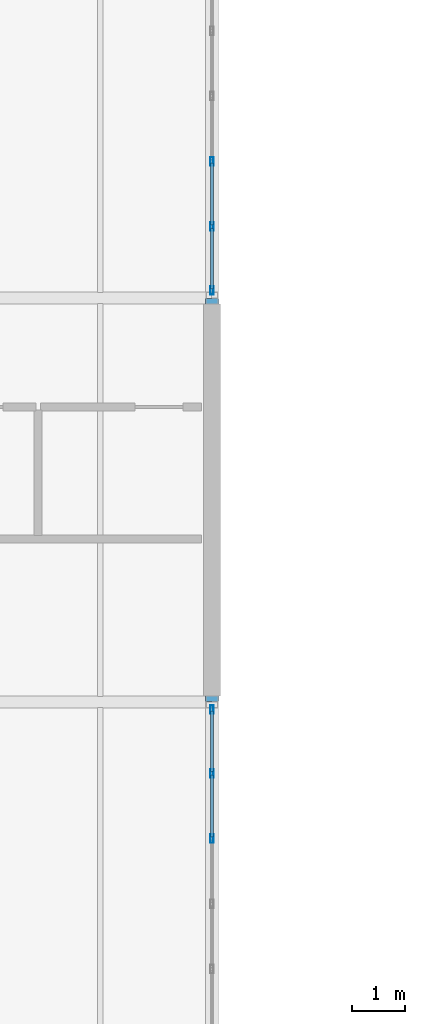
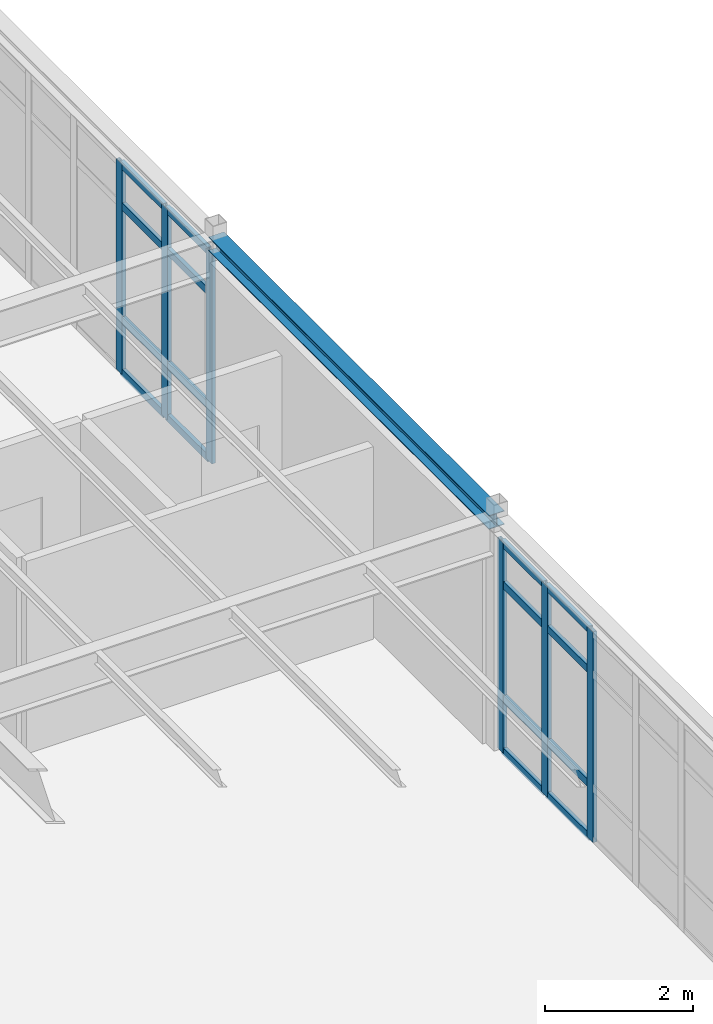
# One storey, part 50 of 114: 22 members, 1 beam, 2 elements without a shape of their own.
"""IFC4 building model written with IfcOpenShell, lengths in metres."""

from ifc_helpers import new_model, si_unit, direction, frame, origin, origin_2d, place, context, subcontext, project, spatial, hollow_rectangle, i_section, extrude, material, layer, layer_set, material_profile, profile_set, type_object, element, aggregate, save


model = new_model("IFC4")

# Units and contexts
model_context = context("Model", 3, precision=1e-05, world=origin(), true_north=direction((0.0, 1.0)))
body_context = subcontext(model_context, "Body", "Model", "MODEL_VIEW")
ifc_project = project(units=[si_unit("LENGTHUNIT", "METRE"), si_unit("AREAUNIT", "SQUARE_METRE"), si_unit("VOLUMEUNIT", "CUBIC_METRE"), si_unit("PLANEANGLEUNIT", "RADIAN"), si_unit("MASSUNIT", "GRAM", prefix="KILO")], contexts=[model_context])

# Site, building, storey
site_placement = place(None, origin())
site = spatial("IfcSite", under=ifc_project, at=site_placement, CompositionType="ELEMENT")
building_placement = place(site_placement, origin())
building = spatial("IfcBuilding", under=site, at=building_placement, Name="Montecoro Central Library", CompositionType="ELEMENT")
storey_placement = place(building_placement, frame((0.0, 0.0, 13.260009765625)))
storey = spatial("IfcBuildingStorey", under=building, at=storey_placement, Name="L03", CompositionType="ELEMENT", Elevation=13.260009765625)

# Beam
ifc_material_1 = material(Name="Steel S355", Category="steel")
ifc_material_profile_1 = material_profile(ifc_material_1, i_section(OverallWidth=0.239990234375, OverallDepth=0.22998046875, WebThickness=0.007568359375, FlangeThickness=0.011962890625, at=origin_2d()), Name="HEA 240")
ifc_profile_set_1 = profile_set([ifc_material_profile_1], Name="Steel S355")
beam_type = type_object("IfcBeamType", Name="BM-SP-HEA240", PredefinedType="SPANDREL", material=ifc_profile_set_1)
beam_placement = place(storey_placement, frame((116.800048828125, 103.804931640625, 3.7099609375), z_axis=(0.0, 1.0, 0.0), x_axis=(-1.0, 0.0, 0.0)))
element("IfcBeam", 1, at=beam_placement, inside=storey, type_object=beam_type, Name="V2-L03-BY-15-PQ", PredefinedType="SPANDREL", context=body_context, shape_type="SweptSolid", body=[
    extrude(i_section(OverallWidth=0.239990234375, OverallDepth=0.22998046875, WebThickness=0.007568359375, FlangeThickness=0.011962890625, at=origin_2d()), origin(), (0.0, 0.0, 1.0), 7.590087890625),
])

# Curtain wall, members
ifc_material_2 = material(Name="Bronze-anodised aluminium and low-E glazing", Category="aluminium")
ifc_layer = layer(ifc_material_2, 0.159912109375)
ifc_layer_set = layer_set([ifc_layer], Name="Bronze-anodised aluminium and low-E glazing")
curtain_wall_type = type_object("IfcCurtainWallType", Name="CWT-018", PredefinedType="NOTDEFINED", material=ifc_layer_set)
curtain_wall_1_placement = place(storey_placement, origin())
curtain_wall_1 = element("IfcCurtainWall", 2, at=curtain_wall_1_placement, inside=storey, type_object=curtain_wall_type, Name="V2-L03-CW-E1", PredefinedType="NOTDEFINED")
ifc_material_3 = material(Name="Bronze-anodised aluminium", Category="aluminium")
ifc_material_profile_2 = material_profile(ifc_material_3, hollow_rectangle(XDim=0.06005859375, YDim=0.159912109375, WallThickness=0.00390625, at=origin_2d()), Name="CWM 160x60x4.0")
ifc_profile_set_2 = profile_set([ifc_material_profile_2], Name="Bronze-anodised aluminium")
member_type_1 = type_object("IfcMemberType", Name="CWM-BRZ-60", PredefinedType="MULLION", material=ifc_profile_set_2)
member_1_placement = place(storey_placement, frame((116.800048828125, 101.22900390625, 0.0), z_axis=(0.0, 0.0, 1.0), x_axis=(-1.0, 0.0, 0.0)))
member_1 = element("IfcMember", 3, at=member_1_placement, type_object=member_type_1, Name="CW-018 mullion 5", PredefinedType="MULLION", context=body_context, shape_type="SweptSolid", body=[
    extrude(hollow_rectangle(XDim=0.06005859375, YDim=0.159912109375, WallThickness=0.00390625, at=origin_2d()), origin(), (0.0, 0.0, 1.0), 3.47998046875),
])
member_2_placement = place(storey_placement, frame((116.800048828125, 102.4580078125, 0.0), z_axis=(0.0, 0.0, 1.0), x_axis=(-1.0, 0.0, 0.0)))
member_2 = element("IfcMember", 4, at=member_2_placement, type_object=member_type_1, Name="CW-018 mullion 6", PredefinedType="MULLION", context=body_context, shape_type="SweptSolid", body=[
    extrude(hollow_rectangle(XDim=0.06005859375, YDim=0.159912109375, WallThickness=0.00390625, at=origin_2d()), origin(), (0.0, 0.0, 1.0), 3.47998046875),
])
member_3_placement = place(storey_placement, frame((116.800048828125, 103.656982421875, 0.0), z_axis=(0.0, 0.0, 1.0), x_axis=(-1.0, 0.0, 0.0)))
member_3 = element("IfcMember", 5, at=member_3_placement, type_object=member_type_1, Name="CW-018 mullion 7", PredefinedType="MULLION", context=body_context, shape_type="SweptSolid", body=[
    extrude(hollow_rectangle(XDim=0.06005859375, YDim=0.159912109375, WallThickness=0.00390625, at=origin_2d()), origin(), (0.0, 0.0, 1.0), 3.47998046875),
])

curtain_wall_2_placement = place(storey_placement, origin())
curtain_wall_2 = element("IfcCurtainWall", 6, at=curtain_wall_2_placement, inside=storey, type_object=curtain_wall_type, Name="V2-L03-CW-E3", PredefinedType="NOTDEFINED")
member_4_placement = place(storey_placement, frame((116.800048828125, 111.54296875, 0.0), z_axis=(0.0, 0.0, 1.0), x_axis=(-1.0, 0.0, 0.0)))
member_4 = element("IfcMember", 7, at=member_4_placement, type_object=member_type_1, Name="CW-018 mullion 1", PredefinedType="MULLION", context=body_context, shape_type="SweptSolid", body=[
    extrude(hollow_rectangle(XDim=0.06005859375, YDim=0.159912109375, WallThickness=0.00390625, at=origin_2d()), origin(), (0.0, 0.0, 1.0), 3.47998046875),
])
member_5_placement = place(storey_placement, frame((116.800048828125, 112.741943359375, 0.0), z_axis=(0.0, 0.0, 1.0), x_axis=(-1.0, 0.0, 0.0)))
member_5 = element("IfcMember", 8, at=member_5_placement, type_object=member_type_1, Name="CW-018 mullion 2", PredefinedType="MULLION", context=body_context, shape_type="SweptSolid", body=[
    extrude(hollow_rectangle(XDim=0.06005859375, YDim=0.159912109375, WallThickness=0.00390625, at=origin_2d()), origin(), (0.0, 0.0, 1.0), 3.47998046875),
])
member_6_placement = place(storey_placement, frame((116.800048828125, 113.970947265625, 0.0), z_axis=(0.0, 0.0, 1.0), x_axis=(-1.0, 0.0, 0.0)))
member_6 = element("IfcMember", 9, at=member_6_placement, type_object=member_type_1, Name="CW-018 mullion 3", PredefinedType="MULLION", context=body_context, shape_type="SweptSolid", body=[
    extrude(hollow_rectangle(XDim=0.06005859375, YDim=0.159912109375, WallThickness=0.00390625, at=origin_2d()), origin(), (0.0, 0.0, 1.0), 3.47998046875),
])

# Member
ifc_material_profile_3 = material_profile(ifc_material_3, hollow_rectangle(XDim=0.06005859375, YDim=0.1201171875, WallThickness=0.00390625, at=origin_2d()), Name="CWT 120x60x4.0")
ifc_profile_set_3 = profile_set([ifc_material_profile_3], Name="Bronze-anodised aluminium")
member_type_2 = type_object("IfcMemberType", Name="CWT-BRZ-60", PredefinedType="USERDEFINED", material=ifc_profile_set_3)
member_7_placement = place(storey_placement, frame((116.800048828125, 101.259033203125, 0.030029296875), z_axis=(0.0, 1.0, 0.0), x_axis=(-1.0, 0.0, 0.0)))
member_7 = element("IfcMember", 10, at=member_7_placement, type_object=member_type_2, Name="CW-018 transom 5.1", ObjectType="TRANSOM", PredefinedType="USERDEFINED", context=body_context, shape_type="SweptSolid", body=[
    extrude(hollow_rectangle(XDim=0.06005859375, YDim=0.1201171875, WallThickness=0.00390625, at=origin_2d()), origin(), (0.0, 0.0, 1.0), 1.1689453125),
])

member_8_placement = place(storey_placement, frame((116.800048828125, 101.259033203125, 0.89990234375), z_axis=(0.0, 1.0, 0.0), x_axis=(-1.0, 0.0, 0.0)))
member_8 = element("IfcMember", 11, at=member_8_placement, type_object=member_type_2, Name="CW-018 transom 5.2", ObjectType="TRANSOM", PredefinedType="USERDEFINED", context=body_context, shape_type="SweptSolid", body=[
    extrude(hollow_rectangle(XDim=0.06005859375, YDim=0.1201171875, WallThickness=0.00390625, at=origin_2d()), origin(), (0.0, 0.0, 1.0), 1.1689453125),
])

member_9_placement = place(storey_placement, frame((116.800048828125, 101.259033203125, 2.780029296875), z_axis=(0.0, 1.0, 0.0), x_axis=(-1.0, 0.0, 0.0)))
member_9 = element("IfcMember", 12, at=member_9_placement, type_object=member_type_2, Name="CW-018 transom 5.3", ObjectType="TRANSOM", PredefinedType="USERDEFINED", context=body_context, shape_type="SweptSolid", body=[
    extrude(hollow_rectangle(XDim=0.06005859375, YDim=0.1201171875, WallThickness=0.00390625, at=origin_2d()), origin(), (0.0, 0.0, 1.0), 1.1689453125),
])

member_10_placement = place(storey_placement, frame((116.800048828125, 101.259033203125, 3.449951171875), z_axis=(0.0, 1.0, 0.0), x_axis=(-1.0, 0.0, 0.0)))
member_10 = element("IfcMember", 13, at=member_10_placement, type_object=member_type_2, Name="CW-018 transom 5.4", ObjectType="TRANSOM", PredefinedType="USERDEFINED", context=body_context, shape_type="SweptSolid", body=[
    extrude(hollow_rectangle(XDim=0.06005859375, YDim=0.1201171875, WallThickness=0.00390625, at=origin_2d()), origin(), (0.0, 0.0, 1.0), 1.1689453125),
])

member_11_placement = place(storey_placement, frame((116.800048828125, 102.488037109375, 0.030029296875), z_axis=(0.0, 1.0, 0.0), x_axis=(-1.0, 0.0, 0.0)))
member_11 = element("IfcMember", 14, at=member_11_placement, type_object=member_type_2, Name="CW-018 transom 6.1", ObjectType="TRANSOM", PredefinedType="USERDEFINED", context=body_context, shape_type="SweptSolid", body=[
    extrude(hollow_rectangle(XDim=0.06005859375, YDim=0.1201171875, WallThickness=0.00390625, at=origin_2d()), origin(), (0.0, 0.0, 1.0), 1.138916015625),
])

member_12_placement = place(storey_placement, frame((116.800048828125, 102.488037109375, 0.89990234375), z_axis=(0.0, 1.0, 0.0), x_axis=(-1.0, 0.0, 0.0)))
member_12 = element("IfcMember", 15, at=member_12_placement, type_object=member_type_2, Name="CW-018 transom 6.2", ObjectType="TRANSOM", PredefinedType="USERDEFINED", context=body_context, shape_type="SweptSolid", body=[
    extrude(hollow_rectangle(XDim=0.06005859375, YDim=0.1201171875, WallThickness=0.00390625, at=origin_2d()), origin(), (0.0, 0.0, 1.0), 1.138916015625),
])

member_13_placement = place(storey_placement, frame((116.800048828125, 102.488037109375, 2.780029296875), z_axis=(0.0, 1.0, 0.0), x_axis=(-1.0, 0.0, 0.0)))
member_13 = element("IfcMember", 16, at=member_13_placement, type_object=member_type_2, Name="CW-018 transom 6.3", ObjectType="TRANSOM", PredefinedType="USERDEFINED", context=body_context, shape_type="SweptSolid", body=[
    extrude(hollow_rectangle(XDim=0.06005859375, YDim=0.1201171875, WallThickness=0.00390625, at=origin_2d()), origin(), (0.0, 0.0, 1.0), 1.138916015625),
])

member_14_placement = place(storey_placement, frame((116.800048828125, 102.488037109375, 3.449951171875), z_axis=(0.0, 1.0, 0.0), x_axis=(-1.0, 0.0, 0.0)))
member_14 = element("IfcMember", 17, at=member_14_placement, type_object=member_type_2, Name="CW-018 transom 6.4", ObjectType="TRANSOM", PredefinedType="USERDEFINED", context=body_context, shape_type="SweptSolid", body=[
    extrude(hollow_rectangle(XDim=0.06005859375, YDim=0.1201171875, WallThickness=0.00390625, at=origin_2d()), origin(), (0.0, 0.0, 1.0), 1.138916015625),
])

aggregate(curtain_wall_1, [member_1, member_2, member_3, member_7, member_8, member_9, member_10, member_11, member_12, member_13, member_14])

member_15_placement = place(storey_placement, frame((116.800048828125, 111.572998046875, 0.030029296875), z_axis=(0.0, 1.0, 0.0), x_axis=(-1.0, 0.0, 0.0)))
member_15 = element("IfcMember", 18, at=member_15_placement, type_object=member_type_2, Name="CW-018 transom 1.1", ObjectType="TRANSOM", PredefinedType="USERDEFINED", context=body_context, shape_type="SweptSolid", body=[
    extrude(hollow_rectangle(XDim=0.06005859375, YDim=0.1201171875, WallThickness=0.00390625, at=origin_2d()), origin(), (0.0, 0.0, 1.0), 1.138916015625),
])

member_16_placement = place(storey_placement, frame((116.800048828125, 111.572998046875, 0.89990234375), z_axis=(0.0, 1.0, 0.0), x_axis=(-1.0, 0.0, 0.0)))
member_16 = element("IfcMember", 19, at=member_16_placement, type_object=member_type_2, Name="CW-018 transom 1.2", ObjectType="TRANSOM", PredefinedType="USERDEFINED", context=body_context, shape_type="SweptSolid", body=[
    extrude(hollow_rectangle(XDim=0.06005859375, YDim=0.1201171875, WallThickness=0.00390625, at=origin_2d()), origin(), (0.0, 0.0, 1.0), 1.138916015625),
])

member_17_placement = place(storey_placement, frame((116.800048828125, 111.572998046875, 2.780029296875), z_axis=(0.0, 1.0, 0.0), x_axis=(-1.0, 0.0, 0.0)))
member_17 = element("IfcMember", 20, at=member_17_placement, type_object=member_type_2, Name="CW-018 transom 1.3", ObjectType="TRANSOM", PredefinedType="USERDEFINED", context=body_context, shape_type="SweptSolid", body=[
    extrude(hollow_rectangle(XDim=0.06005859375, YDim=0.1201171875, WallThickness=0.00390625, at=origin_2d()), origin(), (0.0, 0.0, 1.0), 1.138916015625),
])

member_18_placement = place(storey_placement, frame((116.800048828125, 111.572998046875, 3.449951171875), z_axis=(0.0, 1.0, 0.0), x_axis=(-1.0, 0.0, 0.0)))
member_18 = element("IfcMember", 21, at=member_18_placement, type_object=member_type_2, Name="CW-018 transom 1.4", ObjectType="TRANSOM", PredefinedType="USERDEFINED", context=body_context, shape_type="SweptSolid", body=[
    extrude(hollow_rectangle(XDim=0.06005859375, YDim=0.1201171875, WallThickness=0.00390625, at=origin_2d()), origin(), (0.0, 0.0, 1.0), 1.138916015625),
])

member_19_placement = place(storey_placement, frame((116.800048828125, 112.77197265625, 0.030029296875), z_axis=(0.0, 1.0, 0.0), x_axis=(-1.0, 0.0, 0.0)))
member_19 = element("IfcMember", 22, at=member_19_placement, type_object=member_type_2, Name="CW-018 transom 2.1", ObjectType="TRANSOM", PredefinedType="USERDEFINED", context=body_context, shape_type="SweptSolid", body=[
    extrude(hollow_rectangle(XDim=0.06005859375, YDim=0.1201171875, WallThickness=0.00390625, at=origin_2d()), origin(), (0.0, 0.0, 1.0), 1.1689453125),
])

member_20_placement = place(storey_placement, frame((116.800048828125, 112.77197265625, 0.89990234375), z_axis=(0.0, 1.0, 0.0), x_axis=(-1.0, 0.0, 0.0)))
member_20 = element("IfcMember", 23, at=member_20_placement, type_object=member_type_2, Name="CW-018 transom 2.2", ObjectType="TRANSOM", PredefinedType="USERDEFINED", context=body_context, shape_type="SweptSolid", body=[
    extrude(hollow_rectangle(XDim=0.06005859375, YDim=0.1201171875, WallThickness=0.00390625, at=origin_2d()), origin(), (0.0, 0.0, 1.0), 1.1689453125),
])

member_21_placement = place(storey_placement, frame((116.800048828125, 112.77197265625, 2.780029296875), z_axis=(0.0, 1.0, 0.0), x_axis=(-1.0, 0.0, 0.0)))
member_21 = element("IfcMember", 24, at=member_21_placement, type_object=member_type_2, Name="CW-018 transom 2.3", ObjectType="TRANSOM", PredefinedType="USERDEFINED", context=body_context, shape_type="SweptSolid", body=[
    extrude(hollow_rectangle(XDim=0.06005859375, YDim=0.1201171875, WallThickness=0.00390625, at=origin_2d()), origin(), (0.0, 0.0, 1.0), 1.1689453125),
])

member_22_placement = place(storey_placement, frame((116.800048828125, 112.77197265625, 3.449951171875), z_axis=(0.0, 1.0, 0.0), x_axis=(-1.0, 0.0, 0.0)))
member_22 = element("IfcMember", 25, at=member_22_placement, type_object=member_type_2, Name="CW-018 transom 2.4", ObjectType="TRANSOM", PredefinedType="USERDEFINED", context=body_context, shape_type="SweptSolid", body=[
    extrude(hollow_rectangle(XDim=0.06005859375, YDim=0.1201171875, WallThickness=0.00390625, at=origin_2d()), origin(), (0.0, 0.0, 1.0), 1.1689453125),
])

aggregate(curtain_wall_2, [member_4, member_5, member_6, member_15, member_16, member_17, member_18, member_19, member_20, member_21, member_22])

save(model, "model.ifc")
